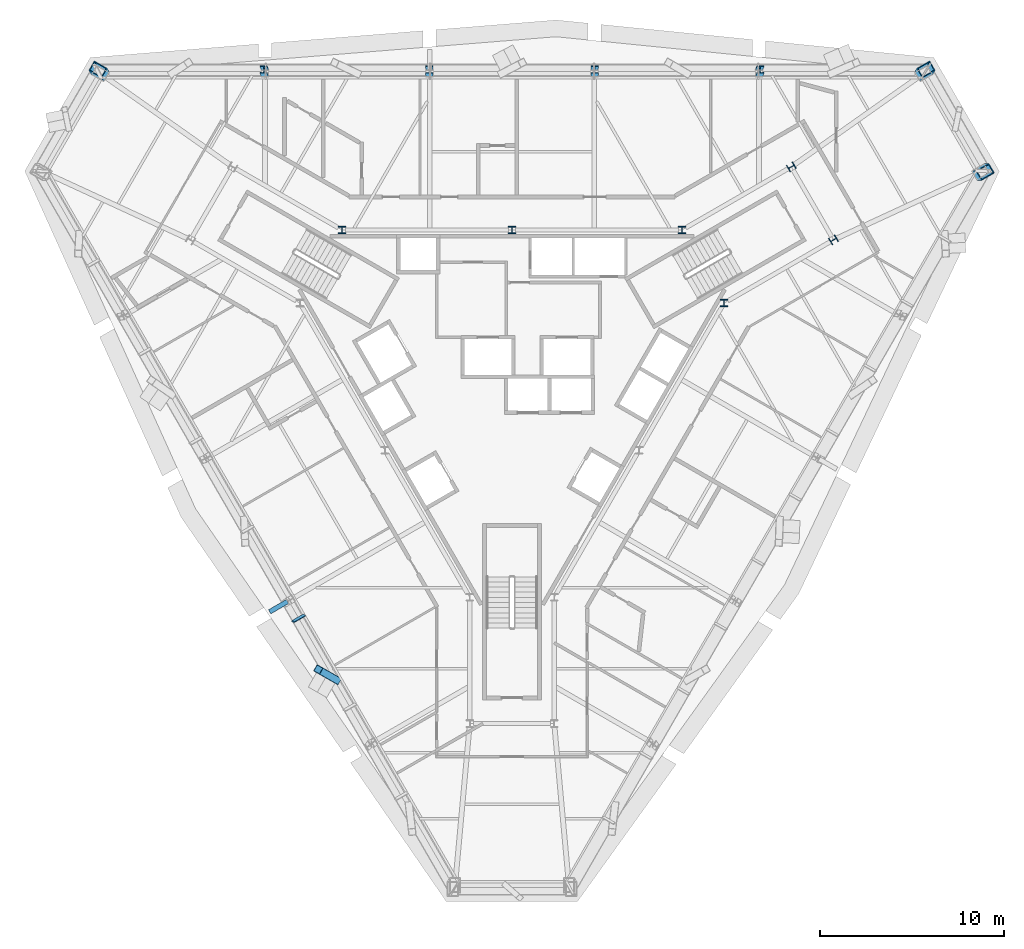
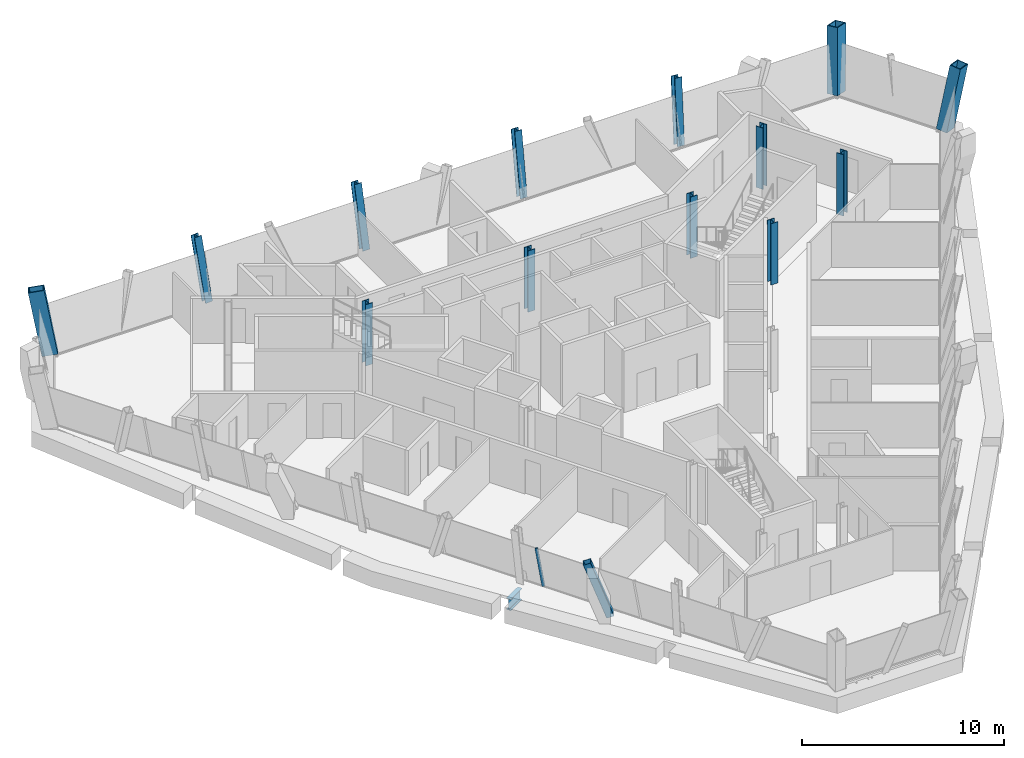
# One storey, part 2 of 13: 13 columns, 2 members, 1 beam, 1 element without a shape of its own.
"""IFC4 building model written with IfcOpenShell, lengths in metres."""

from ifc_helpers import new_model, si_unit, direction, frame, origin, origin_2d, place, context, subcontext, project, spatial, rectangle, hollow_rectangle, i_section, extrude, material, material_profile, profile_set, type_object, element, aggregate, save


model = new_model("IFC4")

# Units and contexts
model_context = context("Model", 3, precision=1e-05, world=origin(), true_north=direction((0.0, 1.0)))
body_context = subcontext(model_context, "Body", "Model", "MODEL_VIEW")
ifc_project = project(units=[si_unit("LENGTHUNIT", "METRE"), si_unit("AREAUNIT", "SQUARE_METRE"), si_unit("VOLUMEUNIT", "CUBIC_METRE"), si_unit("PLANEANGLEUNIT", "RADIAN"), si_unit("MASSUNIT", "GRAM", prefix="KILO")], contexts=[model_context])

# Site, building, storey
site_placement = place(None, origin())
site = spatial("IfcSite", under=ifc_project, at=site_placement, CompositionType="ELEMENT")
building_placement = place(site_placement, origin())
building = spatial("IfcBuilding", under=site, at=building_placement, Name="Verrane Prism Tower", CompositionType="ELEMENT")
storey_placement = place(building_placement, frame((0.0, 0.0, 243.39990234375)))
storey = spatial("IfcBuildingStorey", under=building, at=storey_placement, Name="L61", CompositionType="ELEMENT", Elevation=243.39990234375)

# Columns
ifc_material_1 = material(Name="Steel A992", Category="steel")
ifc_material_profile_1 = material_profile(ifc_material_1, i_section(OverallWidth=0.4013671875, OverallDepth=0.398681640625, WebThickness=0.02490234375, FlangeThickness=0.03955078125, FilletRadius=0.01513671875, at=origin_2d()), Name="W14x211")
ifc_profile_set_1 = profile_set([ifc_material_profile_1], Name="Steel A992")
column_type_1 = type_object("IfcColumnType", Name="Core corner column W14x211", PredefinedType="COLUMN", material=ifc_profile_set_1)
for number, where, z_axis, x_axis, name in (
    (1, (17.52001953125, 7.4599609375, 0.0), (0.0, 0.0, 1.0), (0.5, -0.866025403784, 0.0), "Core corner column CK-NEm L61"),
    (2, (15.219970703125, 11.43994140625, 0.0), (0.0, 0.0, 1.0), (0.5, -0.866025403784, 0.0), "Core corner column CK-NEp L61"),
):
    element("IfcColumn", number, at=place(storey_placement, frame(where, z_axis=z_axis, x_axis=x_axis)), inside=storey, type_object=column_type_1, Name=name, PredefinedType="COLUMN", context=body_context, shape_type="SweptSolid", body=[
        extrude(i_section(OverallWidth=0.4013671875, OverallDepth=0.398681640625, WebThickness=0.02490234375, FlangeThickness=0.03955078125, FilletRadius=0.01513671875, at=origin_2d()), origin(), (0.0, 0.0, 1.0), 3.7001953125),
    ])
ifc_material_2 = material(Name="Steel A992", Category="steel")
ifc_material_profile_2 = material_profile(ifc_material_2, i_section(OverallWidth=0.398681640625, OverallDepth=0.385986328125, WebThickness=0.02099609375, FlangeThickness=0.033203125, FilletRadius=0.01513671875, at=origin_2d()), Name="W14x176")
ifc_profile_set_2 = profile_set([ifc_material_profile_2], Name="Steel A992")
column_type_2 = type_object("IfcColumnType", Name="Core side column W14x176", PredefinedType="COLUMN", material=ifc_profile_set_2)
for number, where, z_axis, x_axis, name in (
    (3, (11.56005859375, 4.02001953125, 0.0), (0.0, 0.0, 1.0), (1.0, 0.0, 0.0), "Core side column CC-NEm L61"),
    (4, (9.260009765625, 8.0, 0.0), (0.0, 0.0, 1.0), (1.0, 0.0, 0.0), "Core side column CC-NEp L61"),
    (5, (0.0, 8.0, 0.0), (0.0, 0.0, 1.0), (1.0, 0.0, 0.0), "Core side column CC-N0 L61"),
    (6, (-9.260009765625, 8.0, 0.0), (0.0, 0.0, 1.0), (1.0, 0.0, 0.0), "Core side column CC-NWm L61"),
):
    element("IfcColumn", number, at=place(storey_placement, frame(where, z_axis=z_axis, x_axis=x_axis)), inside=storey, type_object=column_type_2, Name=name, PredefinedType="COLUMN", context=body_context, shape_type="SweptSolid", body=[
        extrude(i_section(OverallWidth=0.398681640625, OverallDepth=0.385986328125, WebThickness=0.02099609375, FlangeThickness=0.033203125, FilletRadius=0.01513671875, at=origin_2d()), origin(), (0.0, 0.0, 1.0), 3.7001953125),
    ])
ifc_material_3 = material(Name="Steel A572 Grade 50", Category="steel")
ifc_material_profile_3 = material_profile(ifc_material_3, hollow_rectangle(XDim=0.60009765625, YDim=0.800048828125, WallThickness=0.050048828125, at=origin_2d()), Name="BOX 800x600x50")
ifc_profile_set_3 = profile_set([ifc_material_profile_3], Name="Steel A572 Grade 50")
column_type_3 = type_object("IfcColumnType", Name="Megacolumn BOX 800x600x50", PredefinedType="COLUMN", material=ifc_profile_set_3)
for number, where, z_axis, x_axis, name in (
    (7, (22.437255859375, 16.542236328125, 0.065185546875), (0.108220616639, 0.184843485334, 0.976791269445), (0.497243302429, -0.86088562472, 0.107819475699), "Megacolumn MC-NE.b L61"),
    (8, (-22.437255859375, 16.542236328125, 0.065185546875), (-0.108220616639, 0.184843485334, 0.976791269445), (0.497243302429, 0.86088562472, -0.107819475699), "Megacolumn MC-NW.a L61"),
):
    element("IfcColumn", number, at=place(storey_placement, frame(where, z_axis=z_axis, x_axis=x_axis)), inside=storey, type_object=column_type_3, Name=name, PredefinedType="COLUMN", context=body_context, shape_type="SweptSolid", body=[
        extrude(hollow_rectangle(XDim=0.60009765625, YDim=0.800048828125, WallThickness=0.050048828125, at=origin_2d()), origin(), (0.0, 0.0, 1.0), 3.654541015625),
    ])
column_1_placement = place(storey_placement, frame((25.544189453125, 11.159912109375, 0.065185546875), z_axis=(0.213852283996, 0.0, 0.976866009558), x_axis=(0.497031900956, -0.860883256594, -0.10880858398)))
element("IfcColumn", 9, at=column_1_placement, inside=storey, type_object=column_type_3, Name="Megacolumn MC-NE.a L61", PredefinedType="COLUMN", context=body_context, shape_type="SweptSolid", body=[
    extrude(hollow_rectangle(XDim=0.60009765625, YDim=0.800048828125, WallThickness=0.050048828125, at=origin_2d()), origin(), (0.0, 0.0, 1.0), 3.654296875),
])
ifc_material_4 = material(Name="Steel A992", Category="steel")
ifc_material_profile_4 = material_profile(ifc_material_4, i_section(OverallWidth=0.398681640625, OverallDepth=0.385986328125, WebThickness=0.02099609375, FlangeThickness=0.033203125, FilletRadius=0.01513671875, at=origin_2d()), Name="W14x176")
ifc_profile_set_4 = profile_set([ifc_material_profile_4], Name="Steel A992")
column_type_4 = type_object("IfcColumnType", Name="Perimeter column W14x176", PredefinedType="COLUMN", material=ifc_profile_set_4)
column_2_placement = place(storey_placement, frame((13.46240234375, 16.53662109375, 0.03515625), z_axis=(0.063578143467, 0.185524188354, 0.98058074385), x_axis=(0.997902892786, 0.000144647774, -0.064728630807)))
element("IfcColumn", 10, at=column_2_placement, inside=storey, type_object=column_type_4, Name="Perimeter column PC-N1 L61", PredefinedType="COLUMN", context=body_context, shape_type="SweptSolid", body=[
    extrude(i_section(OverallWidth=0.398681640625, OverallDepth=0.385986328125, WebThickness=0.02099609375, FlangeThickness=0.033203125, FilletRadius=0.01513671875, at=origin_2d()), origin(), (0.0, 0.0, 1.0), 3.70166015625),
])
for number, where, z_axis, x_axis, name in (
    (11, (4.49072265625, 16.53662109375, 0.03515625), (0.021208876796, 0.185858474847, 0.982347601856), (0.99976630856, 0.000169989892, -0.021617108328), "Perimeter column PC-N2 L61"),
    (12, (-4.49072265625, 16.53662109375, 0.03515625), (-0.021208876796, 0.185858474847, 0.982347601856), (0.99976630856, -0.000169989892, 0.021617108328), "Perimeter column PC-N3 L61"),
):
    element("IfcColumn", number, at=place(storey_placement, frame(where, z_axis=z_axis, x_axis=x_axis)), inside=storey, type_object=column_type_4, Name=name, PredefinedType="COLUMN", context=body_context, shape_type="SweptSolid", body=[
        extrude(i_section(OverallWidth=0.398681640625, OverallDepth=0.385986328125, WebThickness=0.02099609375, FlangeThickness=0.033203125, FilletRadius=0.01513671875, at=origin_2d()), origin(), (0.0, 0.0, 1.0), 3.695068359375),
    ])
column_3_placement = place(storey_placement, frame((-13.46240234375, 16.53662109375, 0.03515625), z_axis=(-0.063578143467, 0.185524188354, 0.98058074385), x_axis=(0.997902892786, -0.000144647774, 0.064728630807)))
element("IfcColumn", 13, at=column_3_placement, inside=storey, type_object=column_type_4, Name="Perimeter column PC-N4 L61", PredefinedType="COLUMN", context=body_context, shape_type="SweptSolid", body=[
    extrude(i_section(OverallWidth=0.398681640625, OverallDepth=0.385986328125, WebThickness=0.02099609375, FlangeThickness=0.033203125, FilletRadius=0.01513671875, at=origin_2d()), origin(), (0.0, 0.0, 1.0), 3.70166015625),
])

# Member
ifc_material_5 = material(Name="Steel A500 Grade C", Category="steel")
ifc_material_profile_5 = material_profile(ifc_material_5, hollow_rectangle(XDim=0.406494140625, YDim=0.406494140625, WallThickness=0.01904296875, InnerFilletRadius=0.009521484375, OuterFilletRadius=0.028564453125, at=origin_2d()), Name="HSS16x16x3/4")
ifc_profile_set_5 = profile_set([ifc_material_profile_5], Name="Steel A500 Grade C")
member_type_1 = type_object("IfcMemberType", Name="Facade brace HSS16x16x3/4", PredefinedType="BRACE", material=ifc_profile_set_5)
member_1_placement = place(storey_placement, frame((-9.54931640625, -16.521728515625, -0.216552734375), z_axis=(-0.29571473243, 0.168507836357, 0.940296711741), x_axis=(-0.495093133166, -0.868839910163, 0.0)))
element("IfcMember", 14, at=member_1_placement, inside=storey, type_object=member_type_1, Name="Facade brace SW3 L61", PredefinedType="BRACE", context=body_context, shape_type="SweptSolid", body=[
    extrude(hollow_rectangle(XDim=0.406494140625, YDim=0.406494140625, WallThickness=0.01904296875, InnerFilletRadius=0.009521484375, OuterFilletRadius=0.028564453125, at=origin_2d()), origin(), (0.0, 0.0, 1.0), 3.39892578125),
])

# Curtain wall, member
ifc_material_6 = material(Name="Aluminium framed insulated glazing", Category="aluminium")
curtain_wall_type = type_object("IfcCurtainWallType", Name="Curtain wall CW-B 5600 module", PredefinedType="NOTDEFINED", material=ifc_material_6)
curtain_wall_placement = place(storey_placement, origin())
curtain_wall = element("IfcCurtainWall", 15, at=curtain_wall_placement, inside=storey, type_object=curtain_wall_type, Name="Glazed curtain wall south-west face L61", PredefinedType="NOTDEFINED")
ifc_material_7 = material(Name="Aluminium alloy 6063-T6", Category="aluminium")
ifc_material_profile_6 = material_profile(ifc_material_7, rectangle(XDim=0.159912109375, YDim=0.06005859375, at=origin_2d()), Name="Mullion 60x160 aluminium")
ifc_profile_set_6 = profile_set([ifc_material_profile_6], Name="Aluminium alloy 6063-T6")
member_type_2 = type_object("IfcMemberType", Name="Mullion 60x160 aluminium", PredefinedType="MULLION", material=ifc_profile_set_6)
member_2_placement = place(storey_placement, frame((-11.32275390625, -12.991943359375, 0.0), z_axis=(-0.216364904862, -0.124956614407, 0.968283053895), x_axis=(0.852358607741, -0.507816758628, 0.124927752983)))
member_2 = element("IfcMember", 16, at=member_2_placement, type_object=member_type_2, Name="CW59.4 mullion 6", PredefinedType="MULLION", context=body_context, shape_type="SweptSolid", body=[
    extrude(rectangle(XDim=0.159912109375, YDim=0.06005859375, at=origin_2d()), origin(), (0.0, 0.0, 1.0), 2.8017578125),
])
aggregate(curtain_wall, [member_2])

# Beam
ifc_material_8 = material(Name="Steel A992", Category="steel")
ifc_material_profile_7 = material_profile(ifc_material_8, i_section(OverallWidth=0.25390625, OverallDepth=0.683349609375, WebThickness=0.012451171875, FlangeThickness=0.01904296875, FilletRadius=0.01513671875, at=origin_2d()), Name="W27x94")
ifc_profile_set_7 = profile_set([ifc_material_profile_7], Name="Steel A992")
beam_type = type_object("IfcBeamType", Name="Radial girder W27x94", PredefinedType="BEAM", material=ifc_profile_set_7)
beam_placement = place(storey_placement, frame((-12.233642578125, -12.244384765625, -0.5615234375), z_axis=(-0.865961255618, -0.500111091428, 0.0), x_axis=(0.500111091428, -0.865961255618, 0.0)))
element("IfcBeam", 17, at=beam_placement, inside=storey, type_object=beam_type, Name="Cantilever girder L61", PredefinedType="BEAM", context=body_context, shape_type="SweptSolid", body=[
    extrude(i_section(OverallWidth=0.25390625, OverallDepth=0.683349609375, WebThickness=0.012451171875, FlangeThickness=0.01904296875, FilletRadius=0.01513671875, at=origin_2d()), origin(), (0.0, 0.0, 1.0), 1.123779296875),
])

save(model, "model.ifc")
